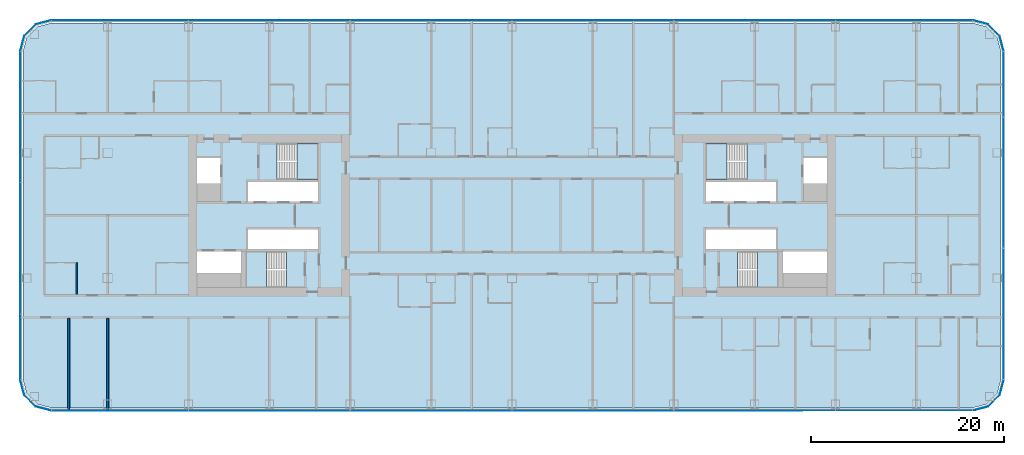
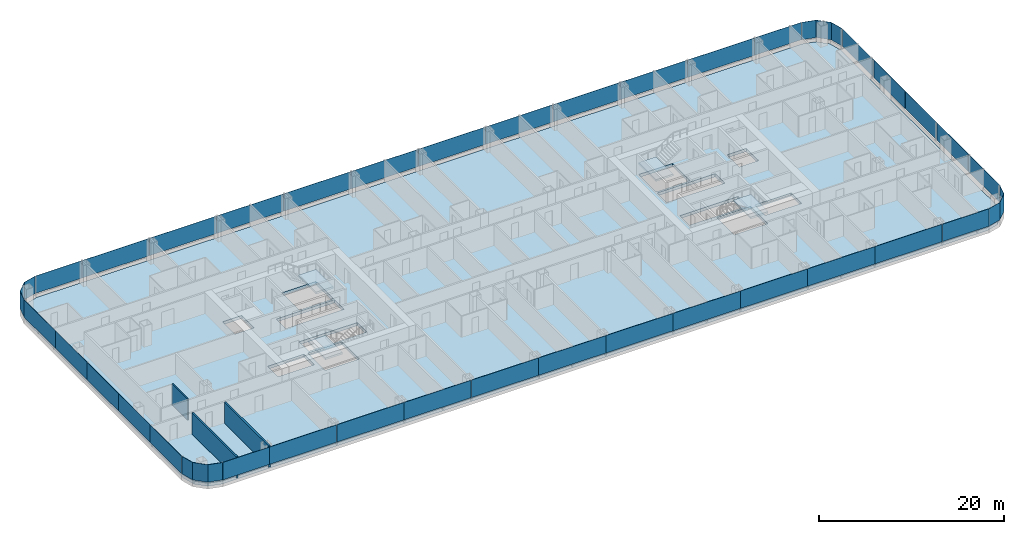
# One storey, part 12 of 28: 38 plates, 5 slabs, 3 walls, 12 elements without a shape of their own.
"""IFC4 building model written with IfcOpenShell, lengths in metres."""

from ifc_helpers import new_model, si_unit, direction, frame, frame_2d, origin, origin_2d, place, context, subcontext, project, spatial, polyline, rectangle, outline, extrude, material, layer, layer_set, type_object, element, aggregate, save


model = new_model("IFC4")

# Units and contexts
model_context = context("Model", 3, precision=1e-05, world=origin(), true_north=direction((0.0, 1.0)))
body_context = subcontext(model_context, "Body", "Model", "MODEL_VIEW")
ifc_project = project(units=[si_unit("LENGTHUNIT", "METRE"), si_unit("AREAUNIT", "SQUARE_METRE"), si_unit("VOLUMEUNIT", "CUBIC_METRE"), si_unit("PLANEANGLEUNIT", "RADIAN"), si_unit("MASSUNIT", "GRAM", prefix="KILO")], contexts=[model_context])

# Site, building, storey
site_placement = place(None, origin())
site = spatial("IfcSite", under=ifc_project, at=site_placement, CompositionType="ELEMENT")
building_placement = place(site_placement, origin())
building = spatial("IfcBuilding", under=site, at=building_placement, Name="Hakoniwa Tower and Hamabe Station Hall", CompositionType="ELEMENT")
storey_placement = place(building_placement, frame((0.0, 0.0, 58.199951171875)))
storey = spatial("IfcBuildingStorey", under=building, at=storey_placement, Name="L16", CompositionType="ELEMENT", Elevation=58.199951171875)

# Stair, slab
ifc_material_1 = material(Name="Concrete C40", Category="concrete")
stair_type = type_object("IfcStairType", Name="ESCAPE STAIR 1800", PredefinedType="HALF_TURN_STAIR", material=ifc_material_1)
stair_1_placement = place(storey_placement, origin())
stair_1 = element("IfcStair", 1, at=stair_1_placement, inside=storey, type_object=stair_type, Name="Escape stair ST-1 L16", PredefinedType="HALF_TURN_STAIR")
ifc_material_2 = material(Name="Concrete C40", Category="concrete")
ifc_layer_1 = layer(ifc_material_2, 0.25)
ifc_layer_set_1 = layer_set([ifc_layer_1], Name="CORE STAIR LANDING 250")
slab_type_1 = type_object("IfcSlabType", Name="CORE STAIR LANDING 250", PredefinedType="LANDING", material=ifc_layer_set_1)
slab_1_placement = place(storey_placement, frame((0.0, 0.0, 1.35009765625)))
slab_1 = element("IfcSlab", 2, at=slab_1_placement, type_object=slab_type_1, Name="ST-1 landing 1", PredefinedType="LANDING", context=body_context, shape_type="SweptSolid", body=[
    extrude(outline(polyline([(-22.320068359375, 3.75), (-20.14990234375, 3.75), (-20.14990234375, 7.5), (-22.320068359375, 7.5), (-22.320068359375, 3.75)])), origin(), (0.0, 0.0, 1.0), 0.25),
])
aggregate(stair_1, [slab_1])

stair_2_placement = place(storey_placement, origin())
stair_2 = element("IfcStair", 3, at=stair_2_placement, inside=storey, type_object=stair_type, Name="Escape stair ST-2 L16", PredefinedType="HALF_TURN_STAIR")
slab_2_placement = place(storey_placement, frame((0.0, 0.0, 1.35009765625)))
slab_2 = element("IfcSlab", 4, at=slab_2_placement, type_object=slab_type_1, Name="ST-2 landing 1", PredefinedType="LANDING", context=body_context, shape_type="SweptSolid", body=[
    extrude(outline(polyline([(-25.47998046875, -7.5), (-27.64990234375, -7.5), (-27.64990234375, -3.75), (-25.47998046875, -3.75), (-25.47998046875, -7.5)])), origin(), (0.0, 0.0, 1.0), 0.25),
])
aggregate(stair_2, [slab_2])

stair_3_placement = place(storey_placement, origin())
stair_3 = element("IfcStair", 5, at=stair_3_placement, inside=storey, type_object=stair_type, Name="Escape stair ST-3 L16", PredefinedType="HALF_TURN_STAIR")
slab_3_placement = place(storey_placement, frame((0.0, 0.0, 1.35009765625)))
slab_3 = element("IfcSlab", 6, at=slab_3_placement, type_object=slab_type_1, Name="ST-3 landing 1", PredefinedType="LANDING", context=body_context, shape_type="SweptSolid", body=[
    extrude(outline(polyline([(22.320068359375, 3.75), (20.14990234375, 3.75), (20.14990234375, 7.5), (22.320068359375, 7.5), (22.320068359375, 3.75)])), origin(), (0.0, 0.0, 1.0), 0.25),
])
aggregate(stair_3, [slab_3])

stair_4_placement = place(storey_placement, origin())
stair_4 = element("IfcStair", 7, at=stair_4_placement, inside=storey, type_object=stair_type, Name="Escape stair ST-4 L16", PredefinedType="HALF_TURN_STAIR")
slab_4_placement = place(storey_placement, frame((0.0, 0.0, 1.35009765625)))
slab_4 = element("IfcSlab", 8, at=slab_4_placement, type_object=slab_type_1, Name="ST-4 landing 1", PredefinedType="LANDING", context=body_context, shape_type="SweptSolid", body=[
    extrude(outline(polyline([(25.47998046875, -7.5), (27.64990234375, -7.5), (27.64990234375, -3.75), (25.47998046875, -3.75), (25.47998046875, -7.5)])), origin(), (0.0, 0.0, 1.0), 0.25),
])
aggregate(stair_4, [slab_4])

# Curtain wall, plates
ifc_material_3 = material(Name="Dark low-e laminated glass", Category="glass")
ifc_layer_2 = layer(ifc_material_3, 0.199951171875)
ifc_layer_set_2 = layer_set([ifc_layer_2], Name="CW-1 UNITISED GUEST")
curtain_wall_type = type_object("IfcCurtainWallType", Name="CW-1 UNITISED GUEST", PredefinedType="NOTDEFINED", material=ifc_layer_set_2)
curtain_wall_1_placement = place(storey_placement, origin())
curtain_wall_1 = element("IfcCurtainWall", 9, at=curtain_wall_1_placement, inside=storey, type_object=curtain_wall_type, Name="CW-1 curtain wall", PredefinedType="NOTDEFINED")
ifc_material_4 = material(Name="Dark low-e laminated glass", Category="glass")
ifc_layer_3 = layer(ifc_material_4, 0.028076171875)
ifc_layer_set_3 = layer_set([ifc_layer_3], Name="CW-1 GLASS UNIT")
plate_type = type_object("IfcPlateType", Name="CW-1 GLASS UNIT", PredefinedType="CURTAIN_PANEL", material=ifc_layer_set_3)
plate_1_placement = place(storey_placement, frame((51.0859375, -13.631591796875, 0.35009765625), z_axis=(0.0, 0.0, 1.0), x_axis=(0.0, 1.0, 0.0)))
plate_1 = element("IfcPlate", 10, at=plate_1_placement, type_object=plate_type, Name="CW-1 glass unit", PredefinedType="CURTAIN_PANEL", context=body_context, shape_type="SweptSolid", body=[
    extrude(rectangle(XDim=6.7958984375, YDim=0.028076171875, at=origin_2d()), origin(), (0.0, 0.0, 1.0), 2.300048828125),
])
plate_2_placement = place(storey_placement, frame((51.0859375, -6.81591796875, 0.35009765625), z_axis=(0.0, 0.0, 1.0), x_axis=(0.0, 1.0, 0.0)))
plate_2 = element("IfcPlate", 11, at=plate_2_placement, type_object=plate_type, Name="CW-1 glass unit", PredefinedType="CURTAIN_PANEL", context=body_context, shape_type="SweptSolid", body=[
    extrude(rectangle(XDim=6.7958984375, YDim=0.028076171875, at=origin_2d()), origin(), (0.0, 0.0, 1.0), 2.300048828125),
])
plate_3_placement = place(storey_placement, frame((51.0859375, 0.0, 0.35009765625), z_axis=(0.0, 0.0, 1.0), x_axis=(0.0, 1.0, 0.0)))
plate_3 = element("IfcPlate", 12, at=plate_3_placement, type_object=plate_type, Name="CW-1 glass unit", PredefinedType="CURTAIN_PANEL", context=body_context, shape_type="SweptSolid", body=[
    extrude(rectangle(XDim=6.7958984375, YDim=0.028076171875, at=origin_2d()), origin(), (0.0, 0.0, 1.0), 2.300048828125),
])
plate_4_placement = place(storey_placement, frame((51.0859375, 6.81591796875, 0.35009765625), z_axis=(0.0, 0.0, 1.0), x_axis=(0.0, 1.0, 0.0)))
plate_4 = element("IfcPlate", 13, at=plate_4_placement, type_object=plate_type, Name="CW-1 glass unit", PredefinedType="CURTAIN_PANEL", context=body_context, shape_type="SweptSolid", body=[
    extrude(rectangle(XDim=6.7958984375, YDim=0.028076171875, at=origin_2d()), origin(), (0.0, 0.0, 1.0), 2.300048828125),
])
plate_5_placement = place(storey_placement, frame((51.0859375, 13.631591796875, 0.35009765625), z_axis=(0.0, 0.0, 1.0), x_axis=(0.0, 1.0, 0.0)))
plate_5 = element("IfcPlate", 14, at=plate_5_placement, type_object=plate_type, Name="CW-1 glass unit", PredefinedType="CURTAIN_PANEL", context=body_context, shape_type="SweptSolid", body=[
    extrude(rectangle(XDim=6.7958984375, YDim=0.028076171875, at=origin_2d()), origin(), (0.0, 0.0, 1.0), 2.300048828125),
])
aggregate(curtain_wall_1, [plate_1, plate_2, plate_3, plate_4, plate_5])

# Curtain wall, plate
curtain_wall_2_placement = place(storey_placement, origin())
curtain_wall_2 = element("IfcCurtainWall", 15, at=curtain_wall_2_placement, inside=storey, type_object=curtain_wall_type, Name="CW-1 curtain wall", PredefinedType="NOTDEFINED")
plate_6_placement = place(storey_placement, frame((0.0, 0.0, 0.35009765625)))
plate_6 = element("IfcPlate", 16, at=plate_6_placement, type_object=plate_type, Name="CW-1 curved corner unit", PredefinedType="CURTAIN_PANEL", context=body_context, shape_type="SweptSolid", body=[
    extrude(outline(polyline([(51.089599609375, 17.078125), (50.6669921875, 18.6552734375), (49.455322265625, 19.866943359375), (47.878173828125, 20.28955078125), (47.870849609375, 20.2626953125), (49.44091796875, 19.842041015625), (50.641845703125, 18.640869140625), (51.0625, 17.07080078125), (51.089599609375, 17.078125)])), origin(), (0.0, 0.0, 1.0), 2.300048828125),
])
aggregate(curtain_wall_2, [plate_6])

# Curtain wall, plates
curtain_wall_3_placement = place(storey_placement, origin())
curtain_wall_3 = element("IfcCurtainWall", 17, at=curtain_wall_3_placement, inside=storey, type_object=curtain_wall_type, Name="CW-1 curtain wall", PredefinedType="NOTDEFINED")
plate_7_placement = place(storey_placement, frame((44.919677734375, 20.285888671875, 0.35009765625), z_axis=(0.0, 0.0, 1.0), x_axis=(-1.0, 0.0, 0.0)))
plate_7 = element("IfcPlate", 18, at=plate_7_placement, type_object=plate_type, Name="CW-1 glass unit", PredefinedType="CURTAIN_PANEL", context=body_context, shape_type="SweptSolid", body=[
    extrude(rectangle(XDim=5.819580078125, YDim=0.028076171875, at=origin_2d()), origin(), (0.0, 0.0, 1.0), 2.300048828125),
])
plate_8_placement = place(storey_placement, frame((37.800048828125, 20.285888671875, 0.35009765625), z_axis=(0.0, 0.0, 1.0), x_axis=(-1.0, 0.0, 0.0)))
plate_8 = element("IfcPlate", 19, at=plate_8_placement, type_object=plate_type, Name="CW-1 glass unit", PredefinedType="CURTAIN_PANEL", context=body_context, shape_type="SweptSolid", body=[
    extrude(rectangle(XDim=8.3798828125, YDim=0.028076171875, at=origin_2d()), origin(), (0.0, 0.0, 1.0), 2.300048828125),
])
plate_9_placement = place(storey_placement, frame((29.39990234375, 20.285888671875, 0.35009765625), z_axis=(0.0, 0.0, 1.0), x_axis=(-1.0, 0.0, 0.0)))
plate_9 = element("IfcPlate", 20, at=plate_9_placement, type_object=plate_type, Name="CW-1 glass unit", PredefinedType="CURTAIN_PANEL", context=body_context, shape_type="SweptSolid", body=[
    extrude(rectangle(XDim=8.3798828125, YDim=0.028076171875, at=origin_2d()), origin(), (0.0, 0.0, 1.0), 2.300048828125),
])
plate_10_placement = place(storey_placement, frame((21.0, 20.285888671875, 0.35009765625), z_axis=(0.0, 0.0, 1.0), x_axis=(-1.0, 0.0, 0.0)))
plate_10 = element("IfcPlate", 21, at=plate_10_placement, type_object=plate_type, Name="CW-1 glass unit", PredefinedType="CURTAIN_PANEL", context=body_context, shape_type="SweptSolid", body=[
    extrude(rectangle(XDim=8.3798828125, YDim=0.028076171875, at=origin_2d()), origin(), (0.0, 0.0, 1.0), 2.300048828125),
])
plate_11_placement = place(storey_placement, frame((12.60009765625, 20.285888671875, 0.35009765625), z_axis=(0.0, 0.0, 1.0), x_axis=(-1.0, 0.0, 0.0)))
plate_11 = element("IfcPlate", 22, at=plate_11_placement, type_object=plate_type, Name="CW-1 glass unit", PredefinedType="CURTAIN_PANEL", context=body_context, shape_type="SweptSolid", body=[
    extrude(rectangle(XDim=8.3798828125, YDim=0.028076171875, at=origin_2d()), origin(), (0.0, 0.0, 1.0), 2.300048828125),
])
plate_12_placement = place(storey_placement, frame((4.199951171875, 20.285888671875, 0.35009765625), z_axis=(0.0, 0.0, 1.0), x_axis=(-1.0, 0.0, 0.0)))
plate_12 = element("IfcPlate", 23, at=plate_12_placement, type_object=plate_type, Name="CW-1 glass unit", PredefinedType="CURTAIN_PANEL", context=body_context, shape_type="SweptSolid", body=[
    extrude(rectangle(XDim=8.3798828125, YDim=0.028076171875, at=origin_2d()), origin(), (0.0, 0.0, 1.0), 2.300048828125),
])
plate_13_placement = place(storey_placement, frame((-4.199951171875, 20.285888671875, 0.35009765625), z_axis=(0.0, 0.0, 1.0), x_axis=(-1.0, 0.0, 0.0)))
plate_13 = element("IfcPlate", 24, at=plate_13_placement, type_object=plate_type, Name="CW-1 glass unit", PredefinedType="CURTAIN_PANEL", context=body_context, shape_type="SweptSolid", body=[
    extrude(rectangle(XDim=8.3798828125, YDim=0.028076171875, at=origin_2d()), origin(), (0.0, 0.0, 1.0), 2.300048828125),
])
plate_14_placement = place(storey_placement, frame((-12.60009765625, 20.285888671875, 0.35009765625), z_axis=(0.0, 0.0, 1.0), x_axis=(-1.0, 0.0, 0.0)))
plate_14 = element("IfcPlate", 25, at=plate_14_placement, type_object=plate_type, Name="CW-1 glass unit", PredefinedType="CURTAIN_PANEL", context=body_context, shape_type="SweptSolid", body=[
    extrude(rectangle(XDim=8.3798828125, YDim=0.028076171875, at=origin_2d()), origin(), (0.0, 0.0, 1.0), 2.300048828125),
])
plate_15_placement = place(storey_placement, frame((-21.0, 20.285888671875, 0.35009765625), z_axis=(0.0, 0.0, 1.0), x_axis=(-1.0, 0.0, 0.0)))
plate_15 = element("IfcPlate", 26, at=plate_15_placement, type_object=plate_type, Name="CW-1 glass unit", PredefinedType="CURTAIN_PANEL", context=body_context, shape_type="SweptSolid", body=[
    extrude(rectangle(XDim=8.3798828125, YDim=0.028076171875, at=origin_2d()), origin(), (0.0, 0.0, 1.0), 2.300048828125),
])
plate_16_placement = place(storey_placement, frame((-29.39990234375, 20.285888671875, 0.35009765625), z_axis=(0.0, 0.0, 1.0), x_axis=(-1.0, 0.0, 0.0)))
plate_16 = element("IfcPlate", 27, at=plate_16_placement, type_object=plate_type, Name="CW-1 glass unit", PredefinedType="CURTAIN_PANEL", context=body_context, shape_type="SweptSolid", body=[
    extrude(rectangle(XDim=8.3798828125, YDim=0.028076171875, at=origin_2d()), origin(), (0.0, 0.0, 1.0), 2.300048828125),
])
plate_17_placement = place(storey_placement, frame((-37.800048828125, 20.285888671875, 0.35009765625), z_axis=(0.0, 0.0, 1.0), x_axis=(-1.0, 0.0, 0.0)))
plate_17 = element("IfcPlate", 28, at=plate_17_placement, type_object=plate_type, Name="CW-1 glass unit", PredefinedType="CURTAIN_PANEL", context=body_context, shape_type="SweptSolid", body=[
    extrude(rectangle(XDim=8.3798828125, YDim=0.028076171875, at=origin_2d()), origin(), (0.0, 0.0, 1.0), 2.300048828125),
])
plate_18_placement = place(storey_placement, frame((-44.919677734375, 20.285888671875, 0.35009765625), z_axis=(0.0, 0.0, 1.0), x_axis=(-1.0, 0.0, 0.0)))
plate_18 = element("IfcPlate", 29, at=plate_18_placement, type_object=plate_type, Name="CW-1 glass unit", PredefinedType="CURTAIN_PANEL", context=body_context, shape_type="SweptSolid", body=[
    extrude(rectangle(XDim=5.819580078125, YDim=0.028076171875, at=origin_2d()), origin(), (0.0, 0.0, 1.0), 2.300048828125),
])
aggregate(curtain_wall_3, [plate_7, plate_8, plate_9, plate_10, plate_11, plate_12, plate_13, plate_14, plate_15, plate_16, plate_17, plate_18])

# Curtain wall, plate
curtain_wall_4_placement = place(storey_placement, origin())
curtain_wall_4 = element("IfcCurtainWall", 30, at=curtain_wall_4_placement, inside=storey, type_object=curtain_wall_type, Name="CW-1 curtain wall", PredefinedType="NOTDEFINED")
plate_19_placement = place(storey_placement, frame((0.0, 0.0, 0.35009765625)))
plate_19 = element("IfcPlate", 31, at=plate_19_placement, type_object=plate_type, Name="CW-1 curved corner unit", PredefinedType="CURTAIN_PANEL", context=body_context, shape_type="SweptSolid", body=[
    extrude(outline(polyline([(-47.878173828125, 20.28955078125), (-49.455322265625, 19.866943359375), (-50.6669921875, 18.6552734375), (-51.089599609375, 17.078125), (-51.0625, 17.07080078125), (-50.641845703125, 18.640869140625), (-49.44091796875, 19.842041015625), (-47.870849609375, 20.2626953125), (-47.878173828125, 20.28955078125)])), origin(), (0.0, 0.0, 1.0), 2.300048828125),
])
aggregate(curtain_wall_4, [plate_19])

# Curtain wall, plates
curtain_wall_5_placement = place(storey_placement, origin())
curtain_wall_5 = element("IfcCurtainWall", 32, at=curtain_wall_5_placement, inside=storey, type_object=curtain_wall_type, Name="CW-1 curtain wall", PredefinedType="NOTDEFINED")
plate_20_placement = place(storey_placement, frame((-51.0859375, 13.631591796875, 0.35009765625), z_axis=(0.0, 0.0, 1.0), x_axis=(0.0, -1.0, 0.0)))
plate_20 = element("IfcPlate", 33, at=plate_20_placement, type_object=plate_type, Name="CW-1 glass unit", PredefinedType="CURTAIN_PANEL", context=body_context, shape_type="SweptSolid", body=[
    extrude(rectangle(XDim=6.7958984375, YDim=0.028076171875, at=origin_2d()), origin(), (0.0, 0.0, 1.0), 2.300048828125),
])
plate_21_placement = place(storey_placement, frame((-51.0859375, 6.81591796875, 0.35009765625), z_axis=(0.0, 0.0, 1.0), x_axis=(0.0, -1.0, 0.0)))
plate_21 = element("IfcPlate", 34, at=plate_21_placement, type_object=plate_type, Name="CW-1 glass unit", PredefinedType="CURTAIN_PANEL", context=body_context, shape_type="SweptSolid", body=[
    extrude(rectangle(XDim=6.7958984375, YDim=0.028076171875, at=origin_2d()), origin(), (0.0, 0.0, 1.0), 2.300048828125),
])
plate_22_placement = place(storey_placement, frame((-51.0859375, 0.0, 0.35009765625), z_axis=(0.0, 0.0, 1.0), x_axis=(0.0, -1.0, 0.0)))
plate_22 = element("IfcPlate", 35, at=plate_22_placement, type_object=plate_type, Name="CW-1 glass unit", PredefinedType="CURTAIN_PANEL", context=body_context, shape_type="SweptSolid", body=[
    extrude(rectangle(XDim=6.7958984375, YDim=0.028076171875, at=origin_2d()), origin(), (0.0, 0.0, 1.0), 2.300048828125),
])
plate_23_placement = place(storey_placement, frame((-51.0859375, -6.81591796875, 0.35009765625), z_axis=(0.0, 0.0, 1.0), x_axis=(0.0, -1.0, 0.0)))
plate_23 = element("IfcPlate", 36, at=plate_23_placement, type_object=plate_type, Name="CW-1 glass unit", PredefinedType="CURTAIN_PANEL", context=body_context, shape_type="SweptSolid", body=[
    extrude(rectangle(XDim=6.7958984375, YDim=0.028076171875, at=origin_2d()), origin(), (0.0, 0.0, 1.0), 2.300048828125),
])
plate_24_placement = place(storey_placement, frame((-51.0859375, -13.631591796875, 0.35009765625), z_axis=(0.0, 0.0, 1.0), x_axis=(0.0, -1.0, 0.0)))
plate_24 = element("IfcPlate", 37, at=plate_24_placement, type_object=plate_type, Name="CW-1 glass unit", PredefinedType="CURTAIN_PANEL", context=body_context, shape_type="SweptSolid", body=[
    extrude(rectangle(XDim=6.7958984375, YDim=0.028076171875, at=origin_2d()), origin(), (0.0, 0.0, 1.0), 2.300048828125),
])
aggregate(curtain_wall_5, [plate_20, plate_21, plate_22, plate_23, plate_24])

# Curtain wall, plate
curtain_wall_6_placement = place(storey_placement, origin())
curtain_wall_6 = element("IfcCurtainWall", 38, at=curtain_wall_6_placement, inside=storey, type_object=curtain_wall_type, Name="CW-1 curtain wall", PredefinedType="NOTDEFINED")
plate_25_placement = place(storey_placement, frame((0.0, 0.0, 0.35009765625)))
plate_25 = element("IfcPlate", 39, at=plate_25_placement, type_object=plate_type, Name="CW-1 curved corner unit", PredefinedType="CURTAIN_PANEL", context=body_context, shape_type="SweptSolid", body=[
    extrude(outline(polyline([(-51.089599609375, -17.078125), (-50.6669921875, -18.6552734375), (-49.455322265625, -19.866943359375), (-47.878173828125, -20.28955078125), (-47.870849609375, -20.2626953125), (-49.44091796875, -19.842041015625), (-50.641845703125, -18.640869140625), (-51.0625, -17.07080078125), (-51.089599609375, -17.078125)])), origin(), (0.0, 0.0, 1.0), 2.300048828125),
])
aggregate(curtain_wall_6, [plate_25])

# Curtain wall, plates
curtain_wall_7_placement = place(storey_placement, origin())
curtain_wall_7 = element("IfcCurtainWall", 40, at=curtain_wall_7_placement, inside=storey, type_object=curtain_wall_type, Name="CW-1 curtain wall", PredefinedType="NOTDEFINED")
plate_26_placement = place(storey_placement, frame((-44.919677734375, -20.285888671875, 0.35009765625), z_axis=(0.0, 0.0, 1.0), x_axis=(1.0, 0.0, 0.0)))
plate_26 = element("IfcPlate", 41, at=plate_26_placement, type_object=plate_type, Name="CW-1 glass unit", PredefinedType="CURTAIN_PANEL", context=body_context, shape_type="SweptSolid", body=[
    extrude(rectangle(XDim=5.819580078125, YDim=0.028076171875, at=origin_2d()), origin(), (0.0, 0.0, 1.0), 2.300048828125),
])
plate_27_placement = place(storey_placement, frame((-37.800048828125, -20.285888671875, 0.35009765625), z_axis=(0.0, 0.0, 1.0), x_axis=(1.0, 0.0, 0.0)))
plate_27 = element("IfcPlate", 42, at=plate_27_placement, type_object=plate_type, Name="CW-1 glass unit", PredefinedType="CURTAIN_PANEL", context=body_context, shape_type="SweptSolid", body=[
    extrude(rectangle(XDim=8.3798828125, YDim=0.028076171875, at=origin_2d()), origin(), (0.0, 0.0, 1.0), 2.300048828125),
])
plate_28_placement = place(storey_placement, frame((-29.39990234375, -20.285888671875, 0.35009765625), z_axis=(0.0, 0.0, 1.0), x_axis=(1.0, 0.0, 0.0)))
plate_28 = element("IfcPlate", 43, at=plate_28_placement, type_object=plate_type, Name="CW-1 glass unit", PredefinedType="CURTAIN_PANEL", context=body_context, shape_type="SweptSolid", body=[
    extrude(rectangle(XDim=8.3798828125, YDim=0.028076171875, at=origin_2d()), origin(), (0.0, 0.0, 1.0), 2.300048828125),
])
plate_29_placement = place(storey_placement, frame((-21.0, -20.285888671875, 0.35009765625), z_axis=(0.0, 0.0, 1.0), x_axis=(1.0, 0.0, 0.0)))
plate_29 = element("IfcPlate", 44, at=plate_29_placement, type_object=plate_type, Name="CW-1 glass unit", PredefinedType="CURTAIN_PANEL", context=body_context, shape_type="SweptSolid", body=[
    extrude(rectangle(XDim=8.3798828125, YDim=0.028076171875, at=origin_2d()), origin(), (0.0, 0.0, 1.0), 2.300048828125),
])
plate_30_placement = place(storey_placement, frame((-12.60009765625, -20.285888671875, 0.35009765625), z_axis=(0.0, 0.0, 1.0), x_axis=(1.0, 0.0, 0.0)))
plate_30 = element("IfcPlate", 45, at=plate_30_placement, type_object=plate_type, Name="CW-1 glass unit", PredefinedType="CURTAIN_PANEL", context=body_context, shape_type="SweptSolid", body=[
    extrude(rectangle(XDim=8.3798828125, YDim=0.028076171875, at=origin_2d()), origin(), (0.0, 0.0, 1.0), 2.300048828125),
])
plate_31_placement = place(storey_placement, frame((-4.199951171875, -20.285888671875, 0.35009765625), z_axis=(0.0, 0.0, 1.0), x_axis=(1.0, 0.0, 0.0)))
plate_31 = element("IfcPlate", 46, at=plate_31_placement, type_object=plate_type, Name="CW-1 glass unit", PredefinedType="CURTAIN_PANEL", context=body_context, shape_type="SweptSolid", body=[
    extrude(rectangle(XDim=8.3798828125, YDim=0.028076171875, at=origin_2d()), origin(), (0.0, 0.0, 1.0), 2.300048828125),
])
plate_32_placement = place(storey_placement, frame((4.199951171875, -20.285888671875, 0.35009765625), z_axis=(0.0, 0.0, 1.0), x_axis=(1.0, 0.0, 0.0)))
plate_32 = element("IfcPlate", 47, at=plate_32_placement, type_object=plate_type, Name="CW-1 glass unit", PredefinedType="CURTAIN_PANEL", context=body_context, shape_type="SweptSolid", body=[
    extrude(rectangle(XDim=8.3798828125, YDim=0.028076171875, at=origin_2d()), origin(), (0.0, 0.0, 1.0), 2.300048828125),
])
plate_33_placement = place(storey_placement, frame((12.60009765625, -20.285888671875, 0.35009765625), z_axis=(0.0, 0.0, 1.0), x_axis=(1.0, 0.0, 0.0)))
plate_33 = element("IfcPlate", 48, at=plate_33_placement, type_object=plate_type, Name="CW-1 glass unit", PredefinedType="CURTAIN_PANEL", context=body_context, shape_type="SweptSolid", body=[
    extrude(rectangle(XDim=8.3798828125, YDim=0.028076171875, at=origin_2d()), origin(), (0.0, 0.0, 1.0), 2.300048828125),
])
plate_34_placement = place(storey_placement, frame((21.0, -20.285888671875, 0.35009765625), z_axis=(0.0, 0.0, 1.0), x_axis=(1.0, 0.0, 0.0)))
plate_34 = element("IfcPlate", 49, at=plate_34_placement, type_object=plate_type, Name="CW-1 glass unit", PredefinedType="CURTAIN_PANEL", context=body_context, shape_type="SweptSolid", body=[
    extrude(rectangle(XDim=8.3798828125, YDim=0.028076171875, at=origin_2d()), origin(), (0.0, 0.0, 1.0), 2.300048828125),
])
plate_35_placement = place(storey_placement, frame((29.39990234375, -20.285888671875, 0.35009765625), z_axis=(0.0, 0.0, 1.0), x_axis=(1.0, 0.0, 0.0)))
plate_35 = element("IfcPlate", 50, at=plate_35_placement, type_object=plate_type, Name="CW-1 glass unit", PredefinedType="CURTAIN_PANEL", context=body_context, shape_type="SweptSolid", body=[
    extrude(rectangle(XDim=8.3798828125, YDim=0.028076171875, at=origin_2d()), origin(), (0.0, 0.0, 1.0), 2.300048828125),
])
plate_36_placement = place(storey_placement, frame((37.800048828125, -20.285888671875, 0.35009765625), z_axis=(0.0, 0.0, 1.0), x_axis=(1.0, 0.0, 0.0)))
plate_36 = element("IfcPlate", 51, at=plate_36_placement, type_object=plate_type, Name="CW-1 glass unit", PredefinedType="CURTAIN_PANEL", context=body_context, shape_type="SweptSolid", body=[
    extrude(rectangle(XDim=8.3798828125, YDim=0.028076171875, at=origin_2d()), origin(), (0.0, 0.0, 1.0), 2.300048828125),
])
plate_37_placement = place(storey_placement, frame((44.919677734375, -20.285888671875, 0.35009765625), z_axis=(0.0, 0.0, 1.0), x_axis=(1.0, 0.0, 0.0)))
plate_37 = element("IfcPlate", 52, at=plate_37_placement, type_object=plate_type, Name="CW-1 glass unit", PredefinedType="CURTAIN_PANEL", context=body_context, shape_type="SweptSolid", body=[
    extrude(rectangle(XDim=5.819580078125, YDim=0.028076171875, at=origin_2d()), origin(), (0.0, 0.0, 1.0), 2.300048828125),
])
aggregate(curtain_wall_7, [plate_26, plate_27, plate_28, plate_29, plate_30, plate_31, plate_32, plate_33, plate_34, plate_35, plate_36, plate_37])

# Curtain wall, plate
curtain_wall_8_placement = place(storey_placement, origin())
curtain_wall_8 = element("IfcCurtainWall", 53, at=curtain_wall_8_placement, inside=storey, type_object=curtain_wall_type, Name="CW-1 curtain wall", PredefinedType="NOTDEFINED")
plate_38_placement = place(storey_placement, frame((0.0, 0.0, 0.35009765625)))
plate_38 = element("IfcPlate", 54, at=plate_38_placement, type_object=plate_type, Name="CW-1 curved corner unit", PredefinedType="CURTAIN_PANEL", context=body_context, shape_type="SweptSolid", body=[
    extrude(outline(polyline([(47.878173828125, -20.28955078125), (49.455322265625, -19.866943359375), (50.6669921875, -18.6552734375), (51.089599609375, -17.078125), (51.0625, -17.07080078125), (50.641845703125, -18.640869140625), (49.44091796875, -19.842041015625), (47.870849609375, -20.2626953125), (47.878173828125, -20.28955078125)])), origin(), (0.0, 0.0, 1.0), 2.300048828125),
])
aggregate(curtain_wall_8, [plate_38])

# Slab
ifc_material_5 = material(Name="Concrete C42", Category="concrete")
ifc_layer_4 = layer(ifc_material_5, 0.39990234375)
ifc_layer_set_4 = layer_set([ifc_layer_4], Name="PT FLAT PLATE 400")
slab_type_2 = type_object("IfcSlabType", Name="PT FLAT PLATE 400", PredefinedType="FLOOR", material=ifc_layer_set_4)
slab_5_placement = place(storey_placement, frame((0.0, 0.0, -0.39990234375)))
element("IfcSlab", 55, at=slab_5_placement, inside=storey, type_object=slab_type_2, Name="Floor slab L16", PredefinedType="FLOOR", context=body_context, shape_type="SweptSolid", body=[
    extrude(outline(polyline([(50.800048828125, -17.0), (50.800048828125, 17.0), (50.398193359375, 18.5), (49.300048828125, 19.59814453125), (47.800048828125, 20.0), (-47.800048828125, 20.0), (-49.300048828125, 19.59814453125), (-50.398193359375, 18.5), (-50.800048828125, 17.0), (-50.800048828125, -17.0), (-50.398193359375, -18.5), (-49.300048828125, -19.59814453125), (-47.800048828125, -20.0), (47.800048828125, -20.0), (49.300048828125, -19.59814453125), (50.398193359375, -18.5), (50.800048828125, -17.0)]), holes=[polyline([(-27.39990234375, 1.449951171875), (-27.39990234375, 3.5), (-20.14990234375, 3.5), (-20.14990234375, 1.449951171875), (-27.39990234375, 1.449951171875)]), polyline([(-27.39990234375, -3.5), (-27.39990234375, -1.449951171875), (-20.14990234375, -1.449951171875), (-20.14990234375, -3.5), (-27.39990234375, -3.5)]), polyline([(-32.699951171875, 3.300048828125), (-32.699951171875, 5.949951171875), (-30.300048828125, 5.949951171875), (-30.300048828125, 3.300048828125), (-32.699951171875, 3.300048828125)]), polyline([(-32.699951171875, -6.0), (-32.699951171875, -3.75), (-28.14990234375, -3.75), (-28.14990234375, -6.0), (-32.699951171875, -6.0)]), polyline([(-24.389892578125, 3.75), (-24.389892578125, 7.5), (-20.14990234375, 7.5), (-20.14990234375, 3.75), (-24.389892578125, 3.75)]), polyline([(-27.64990234375, -7.5), (-27.64990234375, -3.75), (-23.409912109375, -3.75), (-23.409912109375, -7.5), (-27.64990234375, -7.5)]), polyline([(20.14990234375, 1.449951171875), (20.14990234375, 3.5), (27.39990234375, 3.5), (27.39990234375, 1.449951171875), (20.14990234375, 1.449951171875)]), polyline([(20.14990234375, -3.5), (20.14990234375, -1.449951171875), (27.39990234375, -1.449951171875), (27.39990234375, -3.5), (20.14990234375, -3.5)]), polyline([(30.300048828125, 3.300048828125), (30.300048828125, 5.949951171875), (32.699951171875, 5.949951171875), (32.699951171875, 3.300048828125), (30.300048828125, 3.300048828125)]), polyline([(28.14990234375, -6.0), (28.14990234375, -3.75), (32.699951171875, -3.75), (32.699951171875, -6.0), (28.14990234375, -6.0)]), polyline([(20.14990234375, 3.75), (20.14990234375, 7.5), (24.389892578125, 7.5), (24.389892578125, 3.75), (20.14990234375, 3.75)]), polyline([(23.409912109375, -7.5), (23.409912109375, -3.75), (27.64990234375, -3.75), (27.64990234375, -7.5), (23.409912109375, -7.5)])]), origin(), (0.0, 0.0, 1.0), 0.39990234375),
])

# Walls
ifc_material_6 = material(Name="Gypsum board partition", Category="gypsum")
ifc_layer_5 = layer(ifc_material_6, 0.125)
ifc_layer_set_5 = layer_set([ifc_layer_5], Name="Bathroom Partition 125")
wall_type_1 = type_object("IfcWallType", Name="Bathroom Partition 125", PredefinedType="PARTITIONING", material=ifc_layer_set_5)
wall_placement = place(storey_placement, frame((-45.199951171875, -8.199951171875, 0.0), z_axis=(0.0, 0.0, 1.0), x_axis=(0.0, 1.0, 0.0)))
element("IfcWall", 56, at=wall_placement, inside=storey, type_object=wall_type_1, Name="GW-L16-051", PredefinedType="PARTITIONING", context=body_context, shape_type="SweptSolid", body=[
    extrude(rectangle(XDim=3.300048828125, YDim=0.125, at=frame_2d((1.64990234375, 0.0))), origin(), (0.0, 0.0, 1.0), 2.800048828125),
])
ifc_material_7 = material(Name="Fire-rated gypsum board partition", Category="gypsum")
ifc_layer_6 = layer(ifc_material_7, 0.199951171875)
ifc_layer_set_6 = layer_set([ifc_layer_6], Name="Party Wall 200")
wall_type_2 = type_object("IfcWallType", Name="Party Wall 200", PredefinedType="PARTITIONING", material=ifc_layer_set_6)
for number, where, z_axis, x_axis, name in (
    (57, (-46.050048828125, -20.300048828125, 0.0), (0.0, 0.0, 1.0), (0.0, 1.0, 0.0), "GW-L16-050"),
    (58, (-42.0, -20.300048828125, 0.0), (0.0, 0.0, 1.0), (0.0, 1.0, 0.0), "GW-L16-054"),
):
    element("IfcWall", number, at=place(storey_placement, frame(where, z_axis=z_axis, x_axis=x_axis)), inside=storey, type_object=wall_type_2, Name=name, PredefinedType="PARTITIONING", context=body_context, shape_type="SweptSolid", body=[
        extrude(rectangle(XDim=9.60009765625, YDim=0.199951171875, at=frame_2d((4.800048828125, 0.0))), origin(), (0.0, 0.0, 1.0), 2.800048828125),
    ])

save(model, "model.ifc")
